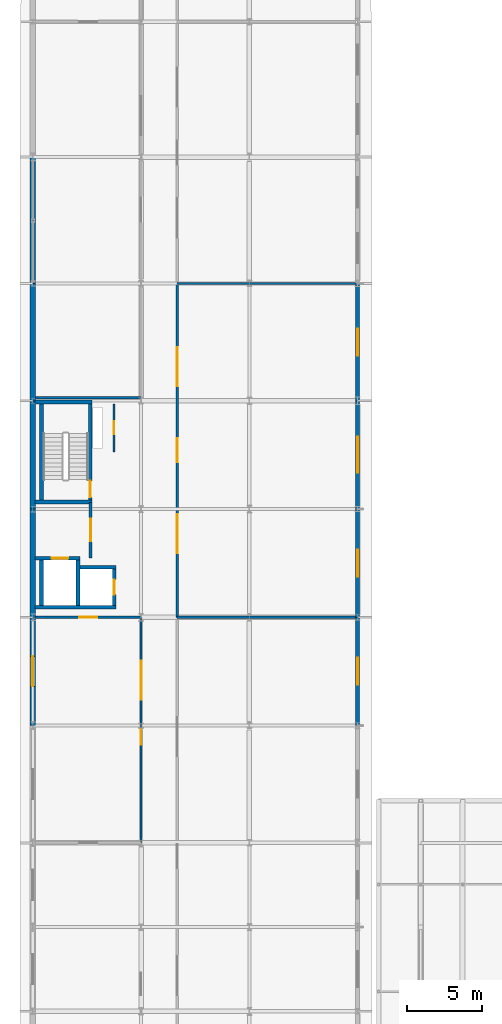
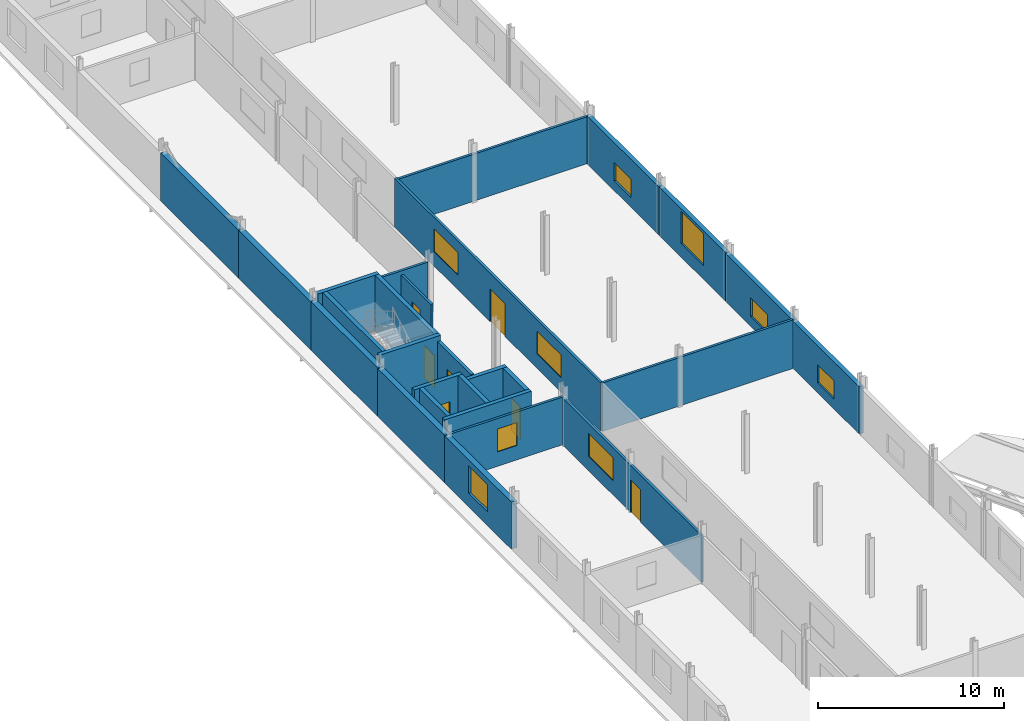
# One storey, part 41 of 49: 27 walls, 9 windows, 7 doors, 16 openings.
"""IFC4 building model written with IfcOpenShell, lengths in metres."""

from ifc_helpers import new_model, si_unit, direction, frame, frame_2d, origin, place, context, subcontext, project, spatial, rectangle, extrude, material, layer, layer_set, type_object, element, fill, save


model = new_model("IFC4")

# Units and contexts
model_context = context("Model", 3, precision=1e-05, world=origin(), true_north=direction((0.0, 1.0)))
body_context = subcontext(model_context, "Body", "Model", "MODEL_VIEW")
ifc_project = project(units=[si_unit("LENGTHUNIT", "METRE"), si_unit("AREAUNIT", "SQUARE_METRE"), si_unit("VOLUMEUNIT", "CUBIC_METRE"), si_unit("PLANEANGLEUNIT", "RADIAN"), si_unit("MASSUNIT", "GRAM", prefix="KILO")], contexts=[model_context])

# Site, building, storey
site_placement = place(None, origin())
site = spatial("IfcSite", under=ifc_project, at=site_placement, CompositionType="ELEMENT")
building_placement = place(site_placement, origin())
building = spatial("IfcBuilding", under=site, at=building_placement, Name="Vinh Khe Railworks Police Headquarters", CompositionType="ELEMENT")
storey_placement = place(building_placement, frame((0.0, 0.0, 17.10009765625)))
storey = spatial("IfcBuildingStorey", under=building, at=storey_placement, Name="L04", CompositionType="ELEMENT", Elevation=17.10009765625)

# Walls
ifc_material_1 = material(Name="Concrete C40/50 (B40)", Category="concrete")
ifc_layer_1 = layer(ifc_material_1, 0.25)
ifc_layer_set_1 = layer_set([ifc_layer_1], Name="Concrete C40/50 (B40)")
wall_type_1 = type_object("IfcWallType", Name="Core Shear Wall 250", PredefinedType="SHEAR", material=ifc_layer_set_1)
for number, where, z_axis, x_axis, name in (
    (1, (0.75, 81.47509765625, 0.0), (0.0, 0.0, 1.0), (1.0, 0.0, 0.0), "Core C2 STAIR-S Shear Wall (L04)"),
    (2, (0.75, 88.125, 0.0), (0.0, 0.0, 1.0), (1.0, 0.0, 0.0), "Core C2 STAIR-N Shear Wall (L04)"),
):
    element("IfcWall", number, at=place(storey_placement, frame(where, z_axis=z_axis, x_axis=x_axis)), inside=storey, type_object=wall_type_1, Name=name, PredefinedType="SHEAR", context=body_context, shape_type="SweptSolid", body=[
        extrude(rectangle(XDim=3.800048828125, YDim=0.25, at=frame_2d((1.89990234375, 0.0))), origin(), (0.0, 0.0, 1.0), 3.699951171875),
    ])
wall_1_placement = place(storey_placement, frame((1.175048828125, 81.60009765625, 0.0), z_axis=(0.0, 0.0, 1.0), x_axis=(0.0, 1.0, 0.0)))
element("IfcWall", 3, at=wall_1_placement, inside=storey, type_object=wall_type_1, Name="Core C2 STAIR-W Shear Wall (L04)", PredefinedType="SHEAR", context=body_context, shape_type="SweptSolid", body=[
    extrude(rectangle(XDim=6.39990234375, YDim=0.25, at=frame_2d((3.199951171875, 0.0))), origin(), (0.0, 0.0, 1.0), 3.699951171875),
])

# Wall, opening, door
wall_2_placement = place(storey_placement, frame((4.425048828125, 81.60009765625, 0.0), z_axis=(0.0, 0.0, 1.0), x_axis=(0.0, 1.0, 0.0)))
wall_2 = element("IfcWall", 4, at=wall_2_placement, inside=storey, type_object=wall_type_1, Name="Core C2 STAIR-E Shear Wall (L04)", PredefinedType="SHEAR", context=body_context, shape_type="SweptSolid", body=[
    extrude(rectangle(XDim=6.39990234375, YDim=0.25, at=frame_2d((3.199951171875, 0.0))), origin(), (0.0, 0.0, 1.0), 3.699951171875),
])
opening_1_placement = place(wall_2_placement, frame((0.169921875, 0.0, 0.0)))
opening_1 = element("IfcOpeningElement", 5, at=opening_1_placement, cuts=wall_2, Name="Opening FD-01", PredefinedType="OPENING", context=body_context, shape_type="SweptSolid", body=[
    extrude(rectangle(XDim=1.10009765625, YDim=2.14990234375, at=frame_2d((0.550048828125, 1.074951171875))), frame((0.0, 0.139892578125, 0.0), z_axis=(0.0, -1.0, 0.0), x_axis=(1.0, 0.0, 0.0)), (0.0, 0.0, 1.0), 0.27978515625),
])
ifc_material_2 = material(Name="Painted galvanised steel", Category="steel")
door_type_1 = type_object("IfcDoorType", Name="FD-1100x2150", OperationType="NOTDEFINED", PredefinedType="DOOR", material=ifc_material_2)
door_1_placement = place(opening_1_placement, frame((1.10009765625, 0.0, 0.0), z_axis=(0.0, 0.0, 1.0), x_axis=(-1.0, 0.0, 0.0)))
door_1 = element("IfcDoor", 6, at=door_1_placement, inside=storey, type_object=door_type_1, Name="Escape Stair ST-02 Fire Door L04", OperationType="SINGLE_SWING_LEFT", OverallHeight=2.14990234375, OverallWidth=1.10009765625, PredefinedType="DOOR", context=body_context, shape_type="SweptSolid", body=[
    extrude(rectangle(XDim=1.10009765625, YDim=2.14990234375, at=frame_2d((0.550048828125, 1.074951171875))), frame((0.0, 0.02490234375, 0.0), z_axis=(0.0, -1.0, 0.0), x_axis=(1.0, 0.0, 0.0)), (0.0, 0.0, 1.0), 0.050048828125),
])
fill(opening_1, door_1)

# Wall
wall_3_placement = place(storey_placement, frame((0.75, 74.47509765625, 0.0), z_axis=(0.0, 0.0, 1.0), x_axis=(1.0, 0.0, 0.0)))
element("IfcWall", 7, at=wall_3_placement, inside=storey, type_object=wall_type_1, Name="Core C2 FL-S Lift Shaft Wall (L04)", PredefinedType="SHEAR", context=body_context, shape_type="SweptSolid", body=[
    extrude(rectangle(XDim=5.39990234375, YDim=0.25, at=frame_2d((2.699951171875, 0.0))), origin(), (0.0, 0.0, 1.0), 3.699951171875),
])

# Wall, opening, door
wall_4_placement = place(storey_placement, frame((0.75, 77.72509765625, 0.0), z_axis=(0.0, 0.0, 1.0), x_axis=(1.0, 0.0, 0.0)))
wall_4 = element("IfcWall", 8, at=wall_4_placement, inside=storey, type_object=wall_type_1, Name="Core C2 FL-N Lift Shaft Wall (L04)", PredefinedType="SHEAR", context=body_context, shape_type="SweptSolid", body=[
    extrude(rectangle(XDim=2.97509765625, YDim=0.25, at=frame_2d((1.487548828125, 0.0))), origin(), (0.0, 0.0, 1.0), 3.699951171875),
])
opening_2_placement = place(wall_4_placement, frame((1.10009765625, 0.0, 0.0)))
opening_2 = element("IfcOpeningElement", 9, at=opening_2_placement, cuts=wall_4, Name="Opening LD-01", PredefinedType="OPENING", context=body_context, shape_type="SweptSolid", body=[
    extrude(rectangle(XDim=1.10009765625, YDim=2.14990234375, at=frame_2d((0.550048828125, 1.074951171875))), frame((0.0, 0.139892578125, 0.0), z_axis=(0.0, -1.0, 0.0), x_axis=(1.0, 0.0, 0.0)), (0.0, 0.0, 1.0), 0.27978515625),
])
door_type_2 = type_object("IfcDoorType", Name="LD-FF-1100", OperationType="SLIDING_TO_LEFT", PredefinedType="DOOR", material=ifc_material_2)
door_2_placement = place(opening_2_placement, origin())
door_2 = element("IfcDoor", 10, at=door_2_placement, inside=storey, type_object=door_type_2, Name="Firefighting Lift Landing Door FL-02 L04", OperationType="SLIDING_TO_LEFT", OverallHeight=2.14990234375, OverallWidth=1.10009765625, PredefinedType="DOOR", context=body_context, shape_type="SweptSolid", body=[
    extrude(rectangle(XDim=1.10009765625, YDim=2.14990234375, at=frame_2d((0.550048828125, 1.074951171875))), frame((0.0, 0.02490234375, 0.0), z_axis=(0.0, -1.0, 0.0), x_axis=(1.0, 0.0, 0.0)), (0.0, 0.0, 1.0), 0.050048828125),
])
fill(opening_2, door_2)

# Walls
wall_5_placement = place(storey_placement, frame((3.72509765625, 77.125, 0.0), z_axis=(0.0, 0.0, 1.0), x_axis=(1.0, 0.0, 0.0)))
element("IfcWall", 11, at=wall_5_placement, inside=storey, type_object=wall_type_1, Name="Core C2 PL-N Lift Shaft Wall (L04)", PredefinedType="SHEAR", context=body_context, shape_type="SweptSolid", body=[
    extrude(rectangle(XDim=2.4248046875, YDim=0.25, at=frame_2d((1.21240234375, 0.0))), origin(), (0.0, 0.0, 1.0), 3.699951171875),
])
for number, where, z_axis, x_axis, name in (
    (12, (1.175048828125, 74.60009765625, 0.0), (0.0, 0.0, 1.0), (0.0, 1.0, 0.0), "Core C2 FL-W Lift Shaft Wall (L04)"),
    (13, (3.60009765625, 74.60009765625, 0.0), (0.0, 0.0, 1.0), (0.0, 1.0, 0.0), "Core C2 LIFT-DIV Lift Shaft Wall (L04)"),
):
    element("IfcWall", number, at=place(storey_placement, frame(where, z_axis=z_axis, x_axis=x_axis)), inside=storey, type_object=wall_type_1, Name=name, PredefinedType="SHEAR", context=body_context, shape_type="SweptSolid", body=[
        extrude(rectangle(XDim=3.0, YDim=0.25, at=frame_2d((1.5, 0.0))), origin(), (0.0, 0.0, 1.0), 3.699951171875),
    ])

# Wall, opening, door
wall_6_placement = place(storey_placement, frame((6.02490234375, 74.60009765625, 0.0), z_axis=(0.0, 0.0, 1.0), x_axis=(0.0, 1.0, 0.0)))
wall_6 = element("IfcWall", 14, at=wall_6_placement, inside=storey, type_object=wall_type_1, Name="Core C2 PL-E Lift Shaft Wall (L04)", PredefinedType="SHEAR", context=body_context, shape_type="SweptSolid", body=[
    extrude(rectangle(XDim=2.39990234375, YDim=0.25, at=frame_2d((1.199951171875, 0.0))), origin(), (0.0, 0.0, 1.0), 3.699951171875),
])
opening_3_placement = place(wall_6_placement, frame((0.699951171875, 0.0, 0.0)))
opening_3 = element("IfcOpeningElement", 15, at=opening_3_placement, cuts=wall_6, Name="Opening LD-02", PredefinedType="OPENING", context=body_context, shape_type="SweptSolid", body=[
    extrude(rectangle(XDim=1.0, YDim=2.14990234375, at=frame_2d((0.5, 1.074951171875))), frame((0.0, 0.139892578125, 0.0), z_axis=(0.0, -1.0, 0.0), x_axis=(1.0, 0.0, 0.0)), (0.0, 0.0, 1.0), 0.27978515625),
])
door_type_3 = type_object("IfcDoorType", Name="LD-PAX-1000", OperationType="SLIDING_TO_RIGHT", PredefinedType="DOOR", material=ifc_material_2)
door_3_placement = place(opening_3_placement, frame((1.0, 0.0, 0.0), z_axis=(0.0, 0.0, 1.0), x_axis=(-1.0, 0.0, 0.0)))
door_3 = element("IfcDoor", 16, at=door_3_placement, inside=storey, type_object=door_type_3, Name="Passenger Lift Landing Door PL-02 L04", OperationType="SLIDING_TO_RIGHT", OverallHeight=2.14990234375, OverallWidth=1.0, PredefinedType="DOOR", context=body_context, shape_type="SweptSolid", body=[
    extrude(rectangle(XDim=1.0, YDim=2.14990234375, at=frame_2d((0.5, 1.074951171875))), frame((0.0, 0.02490234375, 0.0), z_axis=(0.0, -1.0, 0.0), x_axis=(1.0, 0.0, 0.0)), (0.0, 0.0, 1.0), 0.050048828125),
])
fill(opening_3, door_3)

# Wall, opening, window
ifc_material_3 = material(Name="Clay brickwork", Category="masonry")
ifc_layer_2 = layer(ifc_material_3, 0.260009765625)
ifc_layer_set_2 = layer_set([ifc_layer_2], Name="Clay brickwork")
wall_type_2 = type_object("IfcWallType", Name="EW-BRK-260", PredefinedType="SOLIDWALL", material=ifc_layer_set_2)
wall_7_placement = place(storey_placement, frame((22.199951171875, 66.60009765625, 0.0), z_axis=(0.0, 0.0, 1.0), x_axis=(0.0, 1.0, 0.0)))
wall_7 = element("IfcWall", 17, at=wall_7_placement, inside=storey, type_object=wall_type_2, Name="Exterior Brick Wall EW-L04-V5E-09", PredefinedType="SOLIDWALL", context=body_context, shape_type="SweptSolid", body=[
    extrude(rectangle(XDim=7.199951171875, YDim=0.260009765625, at=frame_2d((3.60009765625, 0.0))), origin(), (0.0, 0.0, 1.0), 3.094970703125),
])
opening_4_placement = place(wall_7_placement, frame((2.699951171875, 0.0, 0.64990234375)))
opening_4 = element("IfcOpeningElement", 18, at=opening_4_placement, cuts=wall_7, Name="Opening WN-08", PredefinedType="OPENING", context=body_context, shape_type="SweptSolid", body=[
    extrude(rectangle(XDim=1.800048828125, YDim=1.199951171875, at=frame_2d((0.89990234375, 0.60009765625))), frame((0.0, 0.14501953125, 0.0), z_axis=(0.0, -1.0, 0.0), x_axis=(1.0, 0.0, 0.0)), (0.0, 0.0, 1.0), 0.289794921875),
])
ifc_material_4 = material(Name="Double-glazed solar-control glass in dark steel frame", Category="steel")
window_type_1 = type_object("IfcWindowType", Name="WIN-WN-08", PartitioningType="SINGLE_PANEL", PredefinedType="WINDOW", material=ifc_material_4)
window_1_placement = place(opening_4_placement, origin())
window_1 = element("IfcWindow", 19, at=window_1_placement, inside=storey, type_object=window_type_1, Name="Casement Window WN-08", OverallHeight=1.199951171875, OverallWidth=1.800048828125, PartitioningType="SINGLE_PANEL", PredefinedType="WINDOW", context=body_context, shape_type="SweptSolid", body=[
    extrude(rectangle(XDim=1.800048828125, YDim=1.199951171875, at=frame_2d((0.89990234375, 0.60009765625))), frame((0.0, 0.030029296875, 0.0), z_axis=(0.0, -1.0, 0.0), x_axis=(1.0, 0.0, 0.0)), (0.0, 0.0, 1.0), 0.06005859375),
])
fill(opening_4, window_1)

wall_8_placement = place(storey_placement, frame((22.199951171875, 73.800048828125, 0.0), z_axis=(0.0, 0.0, 1.0), x_axis=(0.0, 1.0, 0.0)))
wall_8 = element("IfcWall", 20, at=wall_8_placement, inside=storey, type_object=wall_type_2, Name="Exterior Brick Wall EW-L04-V5E-10", PredefinedType="SOLIDWALL", context=body_context, shape_type="SweptSolid", body=[
    extrude(rectangle(XDim=7.199951171875, YDim=0.260009765625, at=frame_2d((3.60009765625, 0.0))), origin(), (0.0, 0.0, 1.0), 3.14501953125),
])
opening_5_placement = place(wall_8_placement, frame((2.699951171875, 0.0, 0.64990234375)))
opening_5 = element("IfcOpeningElement", 21, at=opening_5_placement, cuts=wall_8, Name="Opening WN-08", PredefinedType="OPENING", context=body_context, shape_type="SweptSolid", body=[
    extrude(rectangle(XDim=1.800048828125, YDim=1.199951171875, at=frame_2d((0.89990234375, 0.60009765625))), frame((0.0, 0.14501953125, 0.0), z_axis=(0.0, -1.0, 0.0), x_axis=(1.0, 0.0, 0.0)), (0.0, 0.0, 1.0), 0.289794921875),
])
window_2_placement = place(opening_5_placement, origin())
window_2 = element("IfcWindow", 22, at=window_2_placement, inside=storey, type_object=window_type_1, Name="Casement Window WN-08", OverallHeight=1.199951171875, OverallWidth=1.800048828125, PartitioningType="SINGLE_PANEL", PredefinedType="WINDOW", context=body_context, shape_type="SweptSolid", body=[
    extrude(rectangle(XDim=1.800048828125, YDim=1.199951171875, at=frame_2d((0.89990234375, 0.60009765625))), frame((0.0, 0.030029296875, 0.0), z_axis=(0.0, -1.0, 0.0), x_axis=(1.0, 0.0, 0.0)), (0.0, 0.0, 1.0), 0.06005859375),
])
fill(opening_5, window_2)

wall_9_placement = place(storey_placement, frame((22.199951171875, 81.0, 0.0), z_axis=(0.0, 0.0, 1.0), x_axis=(0.0, 1.0, 0.0)))
wall_9 = element("IfcWall", 23, at=wall_9_placement, inside=storey, type_object=wall_type_2, Name="Exterior Brick Wall EW-L04-V5E-11", PredefinedType="SOLIDWALL", context=body_context, shape_type="SweptSolid", body=[
    extrude(rectangle(XDim=7.199951171875, YDim=0.260009765625, at=frame_2d((3.60009765625, 0.0))), origin(), (0.0, 0.0, 1.0), 3.19482421875),
])
opening_6_placement = place(wall_9_placement, frame((2.39990234375, 0.0, 0.89990234375)))
opening_6 = element("IfcOpeningElement", 24, at=opening_6_placement, cuts=wall_9, Name="Opening WN-02", PredefinedType="OPENING", context=body_context, shape_type="SweptSolid", body=[
    extrude(rectangle(XDim=2.39990234375, YDim=2.10009765625, at=frame_2d((1.199951171875, 1.050048828125))), frame((0.0, 0.14501953125, 0.0), z_axis=(0.0, -1.0, 0.0), x_axis=(1.0, 0.0, 0.0)), (0.0, 0.0, 1.0), 0.289794921875),
])
window_type_2 = type_object("IfcWindowType", Name="WIN-WN-02", PartitioningType="DOUBLE_PANEL_VERTICAL", PredefinedType="WINDOW", material=ifc_material_4)
window_3_placement = place(opening_6_placement, origin())
window_3 = element("IfcWindow", 25, at=window_3_placement, inside=storey, type_object=window_type_2, Name="Casement Window WN-02", OverallHeight=2.10009765625, OverallWidth=2.39990234375, PartitioningType="SINGLE_PANEL", PredefinedType="WINDOW", context=body_context, shape_type="SweptSolid", body=[
    extrude(rectangle(XDim=2.39990234375, YDim=2.10009765625, at=frame_2d((1.199951171875, 1.050048828125))), frame((0.0, 0.030029296875, 0.0), z_axis=(0.0, -1.0, 0.0), x_axis=(1.0, 0.0, 0.0)), (0.0, 0.0, 1.0), 0.06005859375),
])
fill(opening_6, window_3)

wall_10_placement = place(storey_placement, frame((22.199951171875, 88.199951171875, 0.0), z_axis=(0.0, 0.0, 1.0), x_axis=(0.0, 1.0, 0.0)))
wall_10 = element("IfcWall", 26, at=wall_10_placement, inside=storey, type_object=wall_type_2, Name="Exterior Brick Wall EW-L04-V5E-12", PredefinedType="SOLIDWALL", context=body_context, shape_type="SweptSolid", body=[
    extrude(rectangle(XDim=7.800048828125, YDim=0.260009765625, at=frame_2d((3.89990234375, 0.0))), origin(), (0.0, 0.0, 1.0), 3.15478515625),
])
opening_7_placement = place(wall_10_placement, frame((3.0, 0.0, 0.64990234375)))
opening_7 = element("IfcOpeningElement", 27, at=opening_7_placement, cuts=wall_10, Name="Opening WN-08", PredefinedType="OPENING", context=body_context, shape_type="SweptSolid", body=[
    extrude(rectangle(XDim=1.800048828125, YDim=1.199951171875, at=frame_2d((0.89990234375, 0.60009765625))), frame((0.0, 0.14501953125, 0.0), z_axis=(0.0, -1.0, 0.0), x_axis=(1.0, 0.0, 0.0)), (0.0, 0.0, 1.0), 0.289794921875),
])
window_4_placement = place(opening_7_placement, origin())
window_4 = element("IfcWindow", 28, at=window_4_placement, inside=storey, type_object=window_type_1, Name="Casement Window WN-08", OverallHeight=1.199951171875, OverallWidth=1.800048828125, PartitioningType="SINGLE_PANEL", PredefinedType="WINDOW", context=body_context, shape_type="SweptSolid", body=[
    extrude(rectangle(XDim=1.800048828125, YDim=1.199951171875, at=frame_2d((0.89990234375, 0.60009765625))), frame((0.0, 0.030029296875, 0.0), z_axis=(0.0, -1.0, 0.0), x_axis=(1.0, 0.0, 0.0)), (0.0, 0.0, 1.0), 0.06005859375),
])
fill(opening_7, window_4)

ifc_layer_3 = layer(ifc_material_3, 0.340087890625)
ifc_layer_set_3 = layer_set([ifc_layer_3], Name="Clay brickwork")
wall_type_3 = type_object("IfcWallType", Name="EW-BRK-340", PredefinedType="SOLIDWALL", material=ifc_layer_set_3)
wall_11_placement = place(storey_placement, frame((0.60009765625, 66.60009765625, 0.0), z_axis=(0.0, 0.0, 1.0), x_axis=(0.0, 1.0, 0.0)))
wall_11 = element("IfcWall", 29, at=wall_11_placement, inside=storey, type_object=wall_type_3, Name="Exterior Brick Wall EW-L04-V5W-09", PredefinedType="SOLIDWALL", context=body_context, shape_type="SweptSolid", body=[
    extrude(rectangle(XDim=7.199951171875, YDim=0.340087890625, at=frame_2d((3.60009765625, 0.0))), origin(), (0.0, 0.0, 1.0), 3.094970703125),
])
opening_8_placement = place(wall_11_placement, frame((2.60009765625, 0.0, 0.89990234375)))
opening_8 = element("IfcOpeningElement", 30, at=opening_8_placement, cuts=wall_11, Name="Opening WN-04", PredefinedType="OPENING", context=body_context, shape_type="SweptSolid", body=[
    extrude(rectangle(XDim=2.0, YDim=1.800048828125, at=frame_2d((1.0, 0.89990234375))), frame((0.0, 0.18505859375, 0.0), z_axis=(0.0, -1.0, 0.0), x_axis=(1.0, 0.0, 0.0)), (0.0, 0.0, 1.0), 0.369873046875),
])
window_type_3 = type_object("IfcWindowType", Name="WIN-WN-04", PartitioningType="DOUBLE_PANEL_VERTICAL", PredefinedType="WINDOW", material=ifc_material_4)
window_5_placement = place(opening_8_placement, origin())
window_5 = element("IfcWindow", 31, at=window_5_placement, inside=storey, type_object=window_type_3, Name="Casement Window WN-04", OverallHeight=1.800048828125, OverallWidth=2.0, PartitioningType="SINGLE_PANEL", PredefinedType="WINDOW", context=body_context, shape_type="SweptSolid", body=[
    extrude(rectangle(XDim=2.0, YDim=1.800048828125, at=frame_2d((1.0, 0.89990234375))), frame((0.0, 0.030029296875, 0.0), z_axis=(0.0, -1.0, 0.0), x_axis=(1.0, 0.0, 0.0)), (0.0, 0.0, 1.0), 0.06005859375),
])
fill(opening_8, window_5)

# Walls
wall_12_placement = place(storey_placement, frame((0.60009765625, 73.800048828125, 0.0), z_axis=(0.0, 0.0, 1.0), x_axis=(0.0, 1.0, 0.0)))
element("IfcWall", 32, at=wall_12_placement, inside=storey, type_object=wall_type_3, Name="Exterior Brick Wall EW-L04-V5W-10", PredefinedType="SOLIDWALL", context=body_context, shape_type="SweptSolid", body=[
    extrude(rectangle(XDim=7.199951171875, YDim=0.340087890625, at=frame_2d((3.60009765625, 0.0))), origin(), (0.0, 0.0, 1.0), 3.14501953125),
])
wall_13_placement = place(storey_placement, frame((0.60009765625, 81.0, 0.0), z_axis=(0.0, 0.0, 1.0), x_axis=(0.0, 1.0, 0.0)))
element("IfcWall", 33, at=wall_13_placement, inside=storey, type_object=wall_type_3, Name="Exterior Brick Wall EW-L04-V5W-11", PredefinedType="SOLIDWALL", context=body_context, shape_type="SweptSolid", body=[
    extrude(rectangle(XDim=7.199951171875, YDim=0.340087890625, at=frame_2d((3.60009765625, 0.0))), origin(), (0.0, 0.0, 1.0), 3.19482421875),
])
wall_14_placement = place(storey_placement, frame((0.60009765625, 88.199951171875, 0.0), z_axis=(0.0, 0.0, 1.0), x_axis=(0.0, 1.0, 0.0)))
element("IfcWall", 34, at=wall_14_placement, inside=storey, type_object=wall_type_3, Name="Exterior Brick Wall EW-L04-V5W-12", PredefinedType="SOLIDWALL", context=body_context, shape_type="SweptSolid", body=[
    extrude(rectangle(XDim=7.800048828125, YDim=0.340087890625, at=frame_2d((3.89990234375, 0.0))), origin(), (0.0, 0.0, 1.0), 3.15478515625),
])
wall_15_placement = place(storey_placement, frame((0.60009765625, 96.0, 0.0), z_axis=(0.0, 0.0, 1.0), x_axis=(0.0, 1.0, 0.0)))
element("IfcWall", 35, at=wall_15_placement, inside=storey, type_object=wall_type_3, Name="Exterior Brick Wall EW-L04-V5W-13", PredefinedType="SOLIDWALL", context=body_context, shape_type="SweptSolid", body=[
    extrude(rectangle(XDim=8.39990234375, YDim=0.340087890625, at=frame_2d((4.199951171875, 0.0))), origin(), (0.0, 0.0, 1.0), 3.15478515625),
])

# Wall, opening, door
ifc_material_5 = material(Name="Autoclaved aerated concrete blockwork", Category="masonry")
ifc_layer_4 = layer(ifc_material_5, 0.199951171875)
ifc_layer_set_4 = layer_set([ifc_layer_4], Name="Autoclaved aerated concrete blockwork")
wall_type_4 = type_object("IfcWallType", Name="IW-BLK-200", PredefinedType="PARTITIONING", material=ifc_layer_set_4)
wall_16_placement = place(storey_placement, frame((4.449951171875, 77.75, 0.0), z_axis=(0.0, 0.0, 1.0), x_axis=(0.0, 1.0, 0.0)))
wall_16 = element("IfcWall", 36, at=wall_16_placement, inside=storey, type_object=wall_type_4, Name="Interior Partition W-FFL-C2-E-L04", PredefinedType="PARTITIONING", context=body_context, shape_type="SweptSolid", body=[
    extrude(rectangle(XDim=3.699951171875, YDim=0.199951171875, at=frame_2d((1.85009765625, 0.0))), origin(), (0.0, 0.0, 1.0), 3.344970703125),
])
opening_9_placement = place(wall_16_placement, frame((1.10009765625, 0.0, 0.0)))
opening_9 = element("IfcOpeningElement", 37, at=opening_9_placement, cuts=wall_16, Name="Opening FD-02", PredefinedType="OPENING", context=body_context, shape_type="SweptSolid", body=[
    extrude(rectangle(XDim=1.5, YDim=2.14990234375, at=frame_2d((0.75, 1.074951171875))), frame((0.0, 0.11474609375, 0.0), z_axis=(0.0, -1.0, 0.0), x_axis=(1.0, 0.0, 0.0)), (0.0, 0.0, 1.0), 0.229736328125),
])
door_type_4 = type_object("IfcDoorType", Name="FD-1500x2150", OperationType="DOUBLE_DOOR_SINGLE_SWING", PredefinedType="DOOR", material=ifc_material_2)
door_4_placement = place(opening_9_placement, origin())
door_4 = element("IfcDoor", 38, at=door_4_placement, inside=storey, type_object=door_type_4, Name="Firefighting Lobby Fire Door", OperationType="DOUBLE_DOOR_SINGLE_SWING", OverallHeight=2.14990234375, OverallWidth=1.5, PredefinedType="DOOR", context=body_context, shape_type="SweptSolid", body=[
    extrude(rectangle(XDim=1.5, YDim=2.14990234375, at=frame_2d((0.75, 1.074951171875))), frame((0.0, 0.02490234375, 0.0), z_axis=(0.0, -1.0, 0.0), x_axis=(1.0, 0.0, 0.0)), (0.0, 0.0, 1.0), 0.050048828125),
])
fill(opening_9, door_4)

# Wall, opening, window
ifc_material_6 = material(Name="Gypsum plasterboard on steel stud", Category="steel")
ifc_layer_5 = layer(ifc_material_6, 0.1201171875)
ifc_layer_set_5 = layer_set([ifc_layer_5], Name="Gypsum plasterboard on steel stud")
wall_type_5 = type_object("IfcWallType", Name="IW-PART-120", PredefinedType="PARTITIONING", material=ifc_layer_set_5)
wall_17_placement = place(storey_placement, frame((0.780029296875, 73.800048828125, 0.0), z_axis=(0.0, 0.0, 1.0), x_axis=(1.0, 0.0, 0.0)))
wall_17 = element("IfcWall", 39, at=wall_17_placement, inside=storey, type_object=wall_type_5, Name="Interior Partition W-L04-V5-LIB4-ENDN", PredefinedType="PARTITIONING", context=body_context, shape_type="SweptSolid", body=[
    extrude(rectangle(XDim=7.02001953125, YDim=0.14990234375, at=frame_2d((3.510009765625, 0.0))), origin(), (0.0, 0.0, 1.0), 3.14501953125),
])
opening_10_placement = place(wall_17_placement, frame((2.909912109375, 0.0, 0.949951171875)))
opening_10 = element("IfcOpeningElement", 40, at=opening_10_placement, cuts=wall_17, Name="Opening WN-10", PredefinedType="OPENING", context=body_context, shape_type="SweptSolid", body=[
    extrude(rectangle(XDim=1.199951171875, YDim=1.5, at=frame_2d((0.60009765625, 0.75))), frame((0.0, 0.08984375, 0.0), z_axis=(0.0, -1.0, 0.0), x_axis=(1.0, 0.0, 0.0)), (0.0, 0.0, 1.0), 0.1796875),
])
window_type_4 = type_object("IfcWindowType", Name="WIN-WN-10", PartitioningType="SINGLE_PANEL", PredefinedType="WINDOW", material=ifc_material_4)
window_6_placement = place(opening_10_placement, origin())
window_6 = element("IfcWindow", 41, at=window_6_placement, inside=storey, type_object=window_type_4, Name="Interior Acoustic Vision Window WN-10", OverallHeight=1.5, OverallWidth=1.199951171875, PartitioningType="SINGLE_PANEL", PredefinedType="WINDOW", context=body_context, shape_type="SweptSolid", body=[
    extrude(rectangle(XDim=1.199951171875, YDim=1.5, at=frame_2d((0.60009765625, 0.75))), frame((0.0, 0.030029296875, 0.0), z_axis=(0.0, -1.0, 0.0), x_axis=(1.0, 0.0, 0.0)), (0.0, 0.0, 1.0), 0.06005859375),
])
fill(opening_10, window_6)

# Walls
wall_18_placement = place(storey_placement, frame((0.780029296875, 88.39990234375, 0.0), z_axis=(0.0, 0.0, 1.0), x_axis=(1.0, 0.0, 0.0)))
element("IfcWall", 42, at=wall_18_placement, inside=storey, type_object=wall_type_5, Name="Interior Partition W-L04-V5-ECON2-DIV", PredefinedType="PARTITIONING", context=body_context, shape_type="SweptSolid", body=[
    extrude(rectangle(XDim=7.02001953125, YDim=0.14990234375, at=frame_2d((3.510009765625, 0.0))), origin(), (0.0, 0.0, 1.0), 3.14501953125),
])
wall_19_placement = place(storey_placement, frame((10.199951171875, 73.800048828125, 0.0), z_axis=(0.0, 0.0, 1.0), x_axis=(1.0, 0.0, 0.0)))
element("IfcWall", 43, at=wall_19_placement, inside=storey, type_object=wall_type_5, Name="Interior Partition W-L04-V5-LOUNG4-DIV", PredefinedType="PARTITIONING", context=body_context, shape_type="SweptSolid", body=[
    extrude(rectangle(XDim=11.860107421875, YDim=0.14990234375, at=frame_2d((5.93017578125, 0.0))), origin(), (0.0, 0.0, 1.0), 3.19482421875),
])
wall_20_placement = place(storey_placement, frame((10.199951171875, 96.0, 0.0), z_axis=(0.0, 0.0, 1.0), x_axis=(1.0, 0.0, 0.0)))
element("IfcWall", 44, at=wall_20_placement, inside=storey, type_object=wall_type_5, Name="Interior Partition W-L04-V5-SEM4-DIV", PredefinedType="PARTITIONING", context=body_context, shape_type="SweptSolid", body=[
    extrude(rectangle(XDim=11.860107421875, YDim=0.14990234375, at=frame_2d((5.93017578125, 0.0))), origin(), (0.0, 0.0, 1.0), 3.094970703125),
])

# Wall, opening, door
ifc_material_7 = material(Name="Gypsum plasterboard on acoustic steel stud", Category="steel")
ifc_layer_6 = layer(ifc_material_7, 0.14990234375)
ifc_layer_set_6 = layer_set([ifc_layer_6], Name="Gypsum plasterboard on acoustic steel stud")
wall_type_6 = type_object("IfcWallType", Name="IW-PART-150", PredefinedType="PARTITIONING", material=ifc_layer_set_6)
wall_21_placement = place(storey_placement, frame((6.0, 84.800048828125, 0.0), z_axis=(0.0, 0.0, 1.0), x_axis=(0.0, 1.0, 0.0)))
wall_21 = element("IfcWall", 45, at=wall_21_placement, inside=storey, type_object=wall_type_6, Name="Interior Partition W-RSR-C2-E-L04", PredefinedType="PARTITIONING", context=body_context, shape_type="SweptSolid", body=[
    extrude(rectangle(XDim=3.199951171875, YDim=0.14990234375, at=frame_2d((1.60009765625, 0.0))), origin(), (0.0, 0.0, 1.0), 3.14501953125),
])
opening_11_placement = place(wall_21_placement, frame((1.175048828125, 0.0, 0.0)))
opening_11 = element("IfcOpeningElement", 46, at=opening_11_placement, cuts=wall_21, Name="Opening FD-04", PredefinedType="OPENING", context=body_context, shape_type="SweptSolid", body=[
    extrude(rectangle(XDim=0.85009765625, YDim=2.10009765625, at=frame_2d((0.425048828125, 1.050048828125))), frame((0.0, 0.08984375, 0.0), z_axis=(0.0, -1.0, 0.0), x_axis=(1.0, 0.0, 0.0)), (0.0, 0.0, 1.0), 0.1796875),
])
door_type_5 = type_object("IfcDoorType", Name="FD-850x2100", OperationType="NOTDEFINED", PredefinedType="DOOR", material=ifc_material_2)
door_5_placement = place(opening_11_placement, origin())
door_5 = element("IfcDoor", 47, at=door_5_placement, inside=storey, type_object=door_type_5, Name="Wet Riser Access Door", OperationType="SINGLE_SWING_RIGHT", OverallHeight=2.10009765625, OverallWidth=0.85009765625, PredefinedType="DOOR", context=body_context, shape_type="SweptSolid", body=[
    extrude(rectangle(XDim=0.85009765625, YDim=2.10009765625, at=frame_2d((0.425048828125, 1.050048828125))), frame((0.0, 0.02490234375, 0.0), z_axis=(0.0, -1.0, 0.0), x_axis=(1.0, 0.0, 0.0)), (0.0, 0.0, 1.0), 0.050048828125),
])
fill(opening_11, door_5)

# Wall, openings, door, window
wall_22_placement = place(storey_placement, frame((7.800048828125, 58.800048828125, 0.0), z_axis=(0.0, 0.0, 1.0), x_axis=(0.0, 1.0, 0.0)))
wall_22 = element("IfcWall", 48, at=wall_22_placement, inside=storey, type_object=wall_type_6, Name="Interior Partition W-L04-V5-LIB4-CW", PredefinedType="PARTITIONING", context=body_context, shape_type="SweptSolid", body=[
    extrude(rectangle(XDim=15.0, YDim=0.14990234375, at=frame_2d((7.5, 0.0))), origin(), (0.0, 0.0, 1.0), 3.094970703125),
])
opening_12_placement = place(wall_22_placement, frame((6.52490234375, 0.0, 0.0)))
opening_12 = element("IfcOpeningElement", 49, at=opening_12_placement, cuts=wall_22, Name="Opening D-02", PredefinedType="OPENING", context=body_context, shape_type="SweptSolid", body=[
    extrude(rectangle(XDim=1.050048828125, YDim=2.14990234375, at=frame_2d((0.52490234375, 1.074951171875))), frame((0.0, 0.08984375, 0.0), z_axis=(0.0, -1.0, 0.0), x_axis=(1.0, 0.0, 0.0)), (0.0, 0.0, 1.0), 0.1796875),
])
opening_13_placement = place(wall_22_placement, frame((9.5, 0.0, 0.949951171875)))
opening_13 = element("IfcOpeningElement", 50, at=opening_13_placement, cuts=wall_22, Name="Opening WN-07", PredefinedType="OPENING", context=body_context, shape_type="SweptSolid", body=[
    extrude(rectangle(XDim=2.60009765625, YDim=1.5, at=frame_2d((1.300048828125, 0.75))), frame((0.0, 0.08984375, 0.0), z_axis=(0.0, -1.0, 0.0), x_axis=(1.0, 0.0, 0.0)), (0.0, 0.0, 1.0), 0.1796875),
])
ifc_material_8 = material(Name="Seasoned hardwood timber", Category="wood")
door_type_6 = type_object("IfcDoorType", Name="ID-1050x2150", OperationType="NOTDEFINED", PredefinedType="DOOR", material=ifc_material_8)
door_6_placement = place(opening_12_placement, origin())
door_6 = element("IfcDoor", 51, at=door_6_placement, inside=storey, type_object=door_type_6, Name="Case Law and Archive Library Door", OperationType="SINGLE_SWING_LEFT", OverallHeight=2.14990234375, OverallWidth=1.050048828125, PredefinedType="DOOR", context=body_context, shape_type="SweptSolid", body=[
    extrude(rectangle(XDim=1.050048828125, YDim=2.14990234375, at=frame_2d((0.52490234375, 1.074951171875))), frame((0.0, 0.02490234375, 0.0), z_axis=(0.0, -1.0, 0.0), x_axis=(1.0, 0.0, 0.0)), (0.0, 0.0, 1.0), 0.050048828125),
])
fill(opening_12, door_6)
window_type_5 = type_object("IfcWindowType", Name="WIN-WN-07", PartitioningType="DOUBLE_PANEL_HORIZONTAL", PredefinedType="WINDOW", material=ifc_material_4)
window_7_placement = place(opening_13_placement, origin())
window_7 = element("IfcWindow", 52, at=window_7_placement, inside=storey, type_object=window_type_5, Name="Interior Acoustic Vision Window WN-07", OverallHeight=1.5, OverallWidth=2.60009765625, PartitioningType="SINGLE_PANEL", PredefinedType="WINDOW", context=body_context, shape_type="SweptSolid", body=[
    extrude(rectangle(XDim=2.60009765625, YDim=1.5, at=frame_2d((1.300048828125, 0.75))), frame((0.0, 0.030029296875, 0.0), z_axis=(0.0, -1.0, 0.0), x_axis=(1.0, 0.0, 0.0)), (0.0, 0.0, 1.0), 0.06005859375),
])
fill(opening_13, window_7)

# Wall, openings, door, windows
wall_23_placement = place(storey_placement, frame((10.199951171875, 73.800048828125, 0.0), z_axis=(0.0, 0.0, 1.0), x_axis=(0.0, 1.0, 0.0)))
wall_23 = element("IfcWall", 53, at=wall_23_placement, inside=storey, type_object=wall_type_6, Name="Interior Partition W-L04-V5-LOUNG4-CE", PredefinedType="PARTITIONING", context=body_context, shape_type="SweptSolid", body=[
    extrude(rectangle(XDim=22.199951171875, YDim=0.14990234375, at=frame_2d((11.10009765625, 0.0))), origin(), (0.0, 0.0, 1.0), 3.19482421875),
])
opening_14_placement = place(wall_23_placement, frame((10.300048828125, 0.0, 0.0)))
opening_14 = element("IfcOpeningElement", 54, at=opening_14_placement, cuts=wall_23, Name="Opening D-03", PredefinedType="OPENING", context=body_context, shape_type="SweptSolid", body=[
    extrude(rectangle(XDim=1.60009765625, YDim=2.14990234375, at=frame_2d((0.800048828125, 1.074951171875))), frame((0.0, 0.08984375, 0.0), z_axis=(0.0, -1.0, 0.0), x_axis=(1.0, 0.0, 0.0)), (0.0, 0.0, 1.0), 0.1796875),
])
opening_15_placement = place(wall_23_placement, frame((4.25, 0.0, 0.949951171875)))
opening_15 = element("IfcOpeningElement", 55, at=opening_15_placement, cuts=wall_23, Name="Opening WN-07", PredefinedType="OPENING", context=body_context, shape_type="SweptSolid", body=[
    extrude(rectangle(XDim=2.60009765625, YDim=1.5, at=frame_2d((1.300048828125, 0.75))), frame((0.0, 0.08984375, 0.0), z_axis=(0.0, -1.0, 0.0), x_axis=(1.0, 0.0, 0.0)), (0.0, 0.0, 1.0), 0.1796875),
])
opening_16_placement = place(wall_23_placement, frame((15.35009765625, 0.0, 0.949951171875)))
opening_16 = element("IfcOpeningElement", 56, at=opening_16_placement, cuts=wall_23, Name="Opening WN-07", PredefinedType="OPENING", context=body_context, shape_type="SweptSolid", body=[
    extrude(rectangle(XDim=2.60009765625, YDim=1.5, at=frame_2d((1.300048828125, 0.75))), frame((0.0, 0.08984375, 0.0), z_axis=(0.0, -1.0, 0.0), x_axis=(1.0, 0.0, 0.0)), (0.0, 0.0, 1.0), 0.1796875),
])
door_type_7 = type_object("IfcDoorType", Name="ID-1600x2150", OperationType="DOUBLE_DOOR_SINGLE_SWING", PredefinedType="DOOR", material=ifc_material_2)
door_7_placement = place(opening_14_placement, origin())
door_7 = element("IfcDoor", 57, at=door_7_placement, inside=storey, type_object=door_type_7, Name="Officers Monsoon Terrace Lounge Door", OperationType="DOUBLE_DOOR_SINGLE_SWING", OverallHeight=2.14990234375, OverallWidth=1.60009765625, PredefinedType="DOOR", context=body_context, shape_type="SweptSolid", body=[
    extrude(rectangle(XDim=1.60009765625, YDim=2.14990234375, at=frame_2d((0.800048828125, 1.074951171875))), frame((0.0, 0.02490234375, 0.0), z_axis=(0.0, -1.0, 0.0), x_axis=(1.0, 0.0, 0.0)), (0.0, 0.0, 1.0), 0.050048828125),
])
fill(opening_14, door_7)
window_8_placement = place(opening_15_placement, origin())
window_8 = element("IfcWindow", 58, at=window_8_placement, inside=storey, type_object=window_type_5, Name="Interior Acoustic Vision Window WN-07", OverallHeight=1.5, OverallWidth=2.60009765625, PartitioningType="SINGLE_PANEL", PredefinedType="WINDOW", context=body_context, shape_type="SweptSolid", body=[
    extrude(rectangle(XDim=2.60009765625, YDim=1.5, at=frame_2d((1.300048828125, 0.75))), frame((0.0, 0.030029296875, 0.0), z_axis=(0.0, -1.0, 0.0), x_axis=(1.0, 0.0, 0.0)), (0.0, 0.0, 1.0), 0.06005859375),
])
fill(opening_15, window_8)
window_9_placement = place(opening_16_placement, origin())
window_9 = element("IfcWindow", 59, at=window_9_placement, inside=storey, type_object=window_type_5, Name="Interior Acoustic Vision Window WN-07", OverallHeight=1.5, OverallWidth=2.60009765625, PartitioningType="SINGLE_PANEL", PredefinedType="WINDOW", context=body_context, shape_type="SweptSolid", body=[
    extrude(rectangle(XDim=2.60009765625, YDim=1.5, at=frame_2d((1.300048828125, 0.75))), frame((0.0, 0.030029296875, 0.0), z_axis=(0.0, -1.0, 0.0), x_axis=(1.0, 0.0, 0.0)), (0.0, 0.0, 1.0), 0.06005859375),
])
fill(opening_16, window_9)

save(model, "model.ifc")
